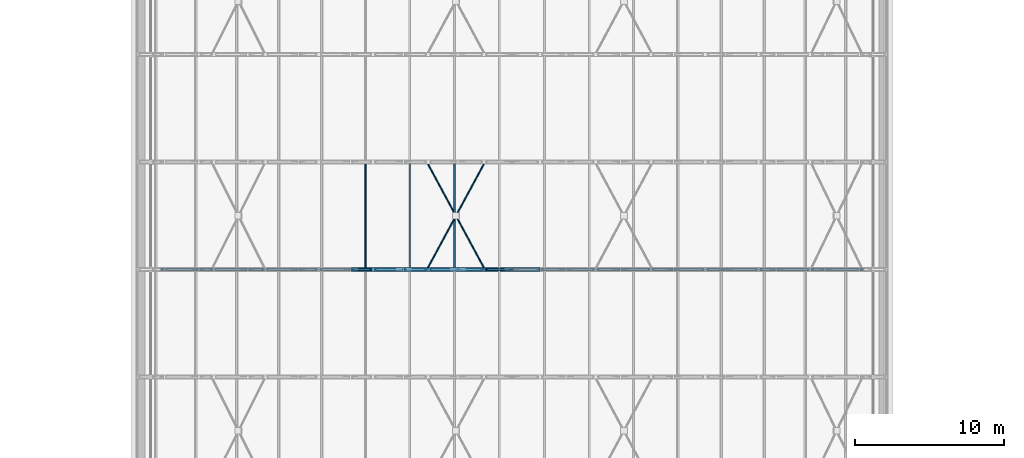
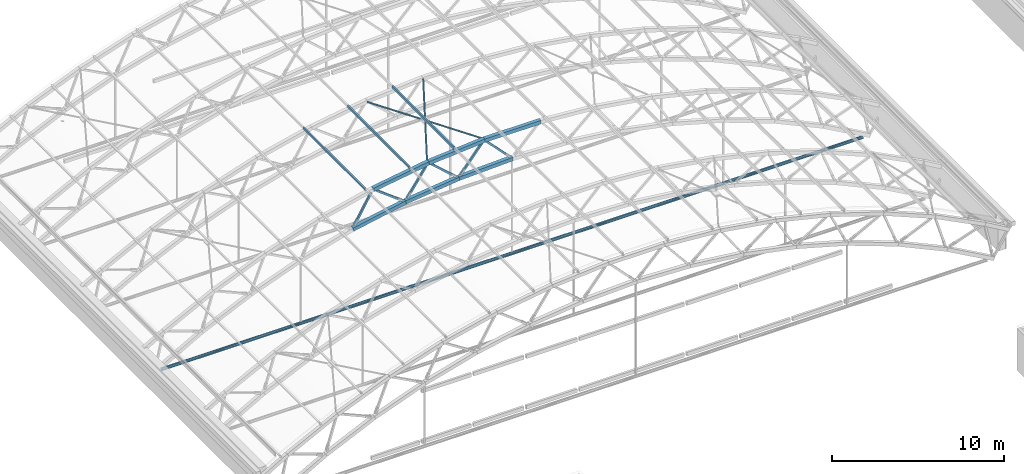
# One storey, part 19 of 127: 19 members.
"""IFC4 building model written with IfcOpenShell, lengths in metres."""

from ifc_helpers import new_model, si_unit, direction, frame, origin, origin_2d, place, context, subcontext, project, spatial, hollow_rectangle, hollow_circle, extrude, material, material_profile, profile_set, type_object, element, save


model = new_model("IFC4")

# Units and contexts
model_context = context("Model", 3, precision=1e-05, world=origin(), true_north=direction((0.0, 1.0)))
body_context = subcontext(model_context, "Body", "Model", "MODEL_VIEW")
ifc_project = project(units=[si_unit("LENGTHUNIT", "METRE"), si_unit("AREAUNIT", "SQUARE_METRE"), si_unit("VOLUMEUNIT", "CUBIC_METRE"), si_unit("PLANEANGLEUNIT", "RADIAN"), si_unit("MASSUNIT", "GRAM", prefix="KILO")], contexts=[model_context])

# Site, building, storey
site_placement = place(None, origin())
site = spatial("IfcSite", under=ifc_project, at=site_placement, CompositionType="ELEMENT")
building_placement = place(site_placement, origin())
building = spatial("IfcBuilding", under=site, at=building_placement, Name="Verrick Yard Athletic Hall", CompositionType="ELEMENT")
storey_placement = place(building_placement, frame((0.0, 0.0, 14.0)))
storey = spatial("IfcBuildingStorey", under=building, at=storey_placement, Name="L03", CompositionType="ELEMENT", Elevation=14.0)

# Members
ifc_material = material(Name="Structural steel HSS Class C 350W (CSA G40.20/G40.21)", Category="steel")
ifc_material_profile_1 = material_profile(ifc_material, hollow_rectangle(XDim=0.25390625, YDim=0.25390625, WallThickness=0.009521484375, at=origin_2d()), Name="HSS254x254x9.5")
ifc_profile_set_1 = profile_set([ifc_material_profile_1], Name="Structural steel HSS Class C 350W (CSA G40.20/G40.21)")
member_type_1 = type_object("IfcMemberType", Name="HB bottom chord HSS254x254x9.5", PredefinedType="CHORD", material=ifc_profile_set_1)
for number, where, z_axis, x_axis, name in (
    (1, (41.283447265625, 86.39990234375, 5.4912109375), (0.980848695375, 0.0, 0.194771242181), (0.0, 1.0, 0.0), "Truss TB3 bottom chord 5"),
    (2, (44.820556640625, 86.39990234375, 6.193359375), (0.993094882284, 0.0, 0.117313915545), (0.0, 1.0, 0.0), "Truss TB3 bottom chord 6"),
    (3, (48.401611328125, 86.39990234375, 6.615966796875), (0.999229864493, 0.0, 0.039238729647), (0.0, 1.0, 0.0), "Truss TB3 bottom chord 7"),
):
    element("IfcMember", number, at=place(storey_placement, frame(where, z_axis=z_axis, x_axis=x_axis)), inside=storey, type_object=member_type_1, Name=name, PredefinedType="CHORD", context=body_context, shape_type="SweptSolid", body=[
        extrude(hollow_rectangle(XDim=0.25390625, YDim=0.25390625, WallThickness=0.009521484375, at=origin_2d()), origin(), (0.0, 0.0, 1.0), 3.59619140625),
    ])
ifc_material_profile_2 = material_profile(ifc_material, hollow_rectangle(XDim=0.1015625, YDim=0.203125, WallThickness=0.009521484375, at=origin_2d()), Name="HSS203x102x9.5")
ifc_profile_set_2 = profile_set([ifc_material_profile_2], Name="Structural steel HSS Class C 350W (CSA G40.20/G40.21)")
member_type_2 = type_object("IfcMemberType", Name="HB purlin HSS203x102x9.5", PredefinedType="PURLIN", material=ifc_profile_set_2)
for number, where, z_axis, x_axis, name in (
    (4, (42.176025390625, 86.39990234375, 7.959228515625), (0.0, 1.0, 0.0), (-0.972458956474, 0.0, -0.23307418985), "HB-PU-B-3-6"),
    (5, (45.150390625, 86.39990234375, 8.464599609375), (0.0, 1.0, 0.0), (-0.987728086354, 0.0, -0.156183313539), "HB-PU-B-3-7"),
    (6, (48.14794921875, 86.39990234375, 8.794677734375), (0.0, 1.0, 0.0), (-0.996927304266, 0.0, -0.078332305011), "HB-PU-B-3-8"),
):
    element("IfcMember", number, at=place(storey_placement, frame(where, z_axis=z_axis, x_axis=x_axis)), inside=storey, type_object=member_type_2, Name=name, PredefinedType="PURLIN", context=body_context, shape_type="SweptSolid", body=[
        extrude(hollow_rectangle(XDim=0.1015625, YDim=0.203125, WallThickness=0.009521484375, at=origin_2d()), origin(), (0.0, 0.0, 1.0), 7.2001953125),
    ])
ifc_material_profile_3 = material_profile(ifc_material, hollow_circle(Radius=0.05712890625, WallThickness=0.00634765625, at=origin_2d()), Name="HSS114x6.4")
ifc_profile_set_3 = profile_set([ifc_material_profile_3], Name="Structural steel HSS Class C 350W (CSA G40.20/G40.21)")
member_type_3 = type_object("IfcMemberType", Name="HB roof brace HSS114x6.4", PredefinedType="BRACE", material=ifc_profile_set_3)
for number, where, z_axis, x_axis, name in (
    (7, (46.3671875, 86.527099609375, 8.425537109375), (0.474902233348, 0.87924865214, 0.037278364666), (-0.879860225212, 0.475232557901, 0.0), "HB-BR-B-3-5b1"),
    (8, (48.29296875, 90.0927734375, 8.576904296875), (0.474902233348, 0.87924865214, 0.037278364666), (-0.879860225212, 0.475232557901, 0.0), "HB-BR-B-3-5b2"),
):
    element("IfcMember", number, at=place(storey_placement, frame(where, z_axis=z_axis, x_axis=x_axis)), inside=storey, type_object=member_type_3, Name=name, PredefinedType="BRACE", context=body_context, shape_type="SweptSolid", body=[
        extrude(hollow_circle(Radius=0.05712890625, WallThickness=0.00634765625, at=origin_2d()), origin(), (0.0, 0.0, 1.0), 3.84423828125),
    ])
member_1_placement = place(storey_placement, frame((50.11865234375, 86.527099609375, 8.72021484375), z_axis=(-0.474890000102, 0.879254230307, -0.037302631142), x_axis=(-0.879866604568, -0.475220746776, 0.0)))
element("IfcMember", 9, at=member_1_placement, inside=storey, type_object=member_type_3, Name="HB-BR-B-3-5a", PredefinedType="BRACE", context=body_context, shape_type="SweptSolid", body=[
    extrude(hollow_circle(Radius=0.05712890625, WallThickness=0.00634765625, at=origin_2d()), origin(), (0.0, 0.0, 1.0), 7.899658203125),
])
ifc_material_profile_4 = material_profile(ifc_material, hollow_circle(Radius=0.109619140625, WallThickness=0.0126953125, at=origin_2d()), Name="HSS219x13")
ifc_profile_set_4 = profile_set([ifc_material_profile_4], Name="Structural steel HSS Class C 350W (CSA G40.20/G40.21)")
member_type_4 = type_object("IfcMemberType", Name="HB tie rod HSS219x13", PredefinedType="MEMBER", material=ifc_profile_set_4)
member_2_placement = place(storey_placement, frame((28.456298828125, 86.39990234375, 0.0), z_axis=(1.0, 0.0, 0.0), x_axis=(0.0, 1.0, 0.0)))
element("IfcMember", 10, at=member_2_placement, inside=storey, type_object=member_type_4, Name="Truss TB3 tie 1", PredefinedType="MEMBER", context=body_context, shape_type="SweptSolid", body=[
    extrude(hollow_circle(Radius=0.109619140625, WallThickness=0.0126953125, at=origin_2d()), origin(), (0.0, 0.0, 1.0), 47.08740234375),
])
ifc_material_profile_5 = material_profile(ifc_material, hollow_rectangle(XDim=0.25390625, YDim=0.25390625, WallThickness=0.009521484375, at=origin_2d()), Name="HSS254x254x9.5")
ifc_profile_set_5 = profile_set([ifc_material_profile_5], Name="Structural steel HSS Class C 350W (CSA G40.20/G40.21)")
member_type_5 = type_object("IfcMemberType", Name="HB top chord HSS254x254x9.5", PredefinedType="CHORD", material=ifc_profile_set_5)
member_3_placement = place(storey_placement, frame((42.655517578125, 86.39990234375, 7.838623046875), z_axis=(0.987726014692, 0.0, 0.156196414495), x_axis=(0.0, 1.0, 0.0)))
element("IfcMember", 11, at=member_3_placement, inside=storey, type_object=member_type_5, Name="Truss TB3 top chord 6", PredefinedType="CHORD", context=body_context, shape_type="SweptSolid", body=[
    extrude(hollow_rectangle(XDim=0.25390625, YDim=0.25390625, WallThickness=0.009521484375, at=origin_2d()), origin(), (0.0, 0.0, 1.0), 3.7529296875),
])
member_4_placement = place(storey_placement, frame((46.372314453125, 86.39990234375, 8.426025390625), z_axis=(0.99692762922, 0.0, 0.07832816925), x_axis=(0.0, 1.0, 0.0)))
element("IfcMember", 12, at=member_4_placement, inside=storey, type_object=member_type_5, Name="Truss TB3 top chord 7", PredefinedType="CHORD", context=body_context, shape_type="SweptSolid", body=[
    extrude(hollow_rectangle(XDim=0.25390625, YDim=0.25390625, WallThickness=0.009521484375, at=origin_2d()), origin(), (0.0, 0.0, 1.0), 3.752685546875),
])
member_5_placement = place(storey_placement, frame((50.12353515625, 86.39990234375, 8.72021484375), z_axis=(1.0, 0.0, 0.0), x_axis=(0.0, 1.0, 0.0)))
element("IfcMember", 13, at=member_5_placement, inside=storey, type_object=member_type_5, Name="Truss TB3 top chord 8", PredefinedType="CHORD", context=body_context, shape_type="SweptSolid", body=[
    extrude(hollow_rectangle(XDim=0.25390625, YDim=0.25390625, WallThickness=0.009521484375, at=origin_2d()), origin(), (0.0, 0.0, 1.0), 3.7529296875),
])
ifc_material_profile_6 = material_profile(ifc_material, hollow_rectangle(XDim=0.126953125, YDim=0.126953125, WallThickness=0.009521484375, at=origin_2d()), Name="HSS127x127x9.5")
ifc_profile_set_6 = profile_set([ifc_material_profile_6], Name="Structural steel HSS Class C 350W (CSA G40.20/G40.21)")
member_type_6 = type_object("IfcMemberType", Name="HB truss web HSS127x127x9.5", PredefinedType="BRACE", material=ifc_profile_set_6)
member_6_placement = place(storey_placement, frame((41.404052734375, 86.39990234375, 5.705078125), z_axis=(0.504625153938, 0.0, 0.863338551214), x_axis=(0.0, 1.0, 0.0)))
element("IfcMember", 14, at=member_6_placement, inside=storey, type_object=member_type_6, Name="Truss TB3 web 9", PredefinedType="BRACE", context=body_context, shape_type="SweptSolid", body=[
    extrude(hollow_rectangle(XDim=0.126953125, YDim=0.126953125, WallThickness=0.009521484375, at=origin_2d()), origin(), (0.0, 0.0, 1.0), 2.233642578125),
])
member_7_placement = place(storey_placement, frame((42.839111328125, 86.39990234375, 7.694580078125), z_axis=(0.796206425538, 0.0, -0.605025063887), x_axis=(0.0, 1.0, 0.0)))
element("IfcMember", 15, at=member_7_placement, inside=storey, type_object=member_type_6, Name="Truss TB3 web 10", PredefinedType="BRACE", context=body_context, shape_type="SweptSolid", body=[
    extrude(hollow_rectangle(XDim=0.126953125, YDim=0.126953125, WallThickness=0.009521484375, at=origin_2d()), origin(), (0.0, 0.0, 1.0), 2.2333984375),
])
for number, where, z_axis, x_axis, name in (
    (16, (44.95751953125, 86.39990234375, 6.39697265625), (0.570664111571, 0.0, 0.821183579819), (0.0, 1.0, 0.0), "Truss TB3 web 11"),
    (17, (46.5439453125, 86.39990234375, 8.26806640625), (0.746389338881, 0.0, -0.66550954524), (0.0, 1.0, 0.0), "Truss TB3 web 12"),
    (18, (48.55419921875, 86.39990234375, 6.808349609375), (0.633267548908, 0.0, 0.773932950262), (0.0, 1.0, 0.0), "Truss TB3 web 13"),
):
    element("IfcMember", number, at=place(storey_placement, frame(where, z_axis=z_axis, x_axis=x_axis)), inside=storey, type_object=member_type_6, Name=name, PredefinedType="BRACE", context=body_context, shape_type="SweptSolid", body=[
        extrude(hollow_rectangle(XDim=0.126953125, YDim=0.126953125, WallThickness=0.009521484375, at=origin_2d()), origin(), (0.0, 0.0, 1.0), 2.233642578125),
    ])
member_8_placement = place(storey_placement, frame((50.282470703125, 86.39990234375, 8.54931640625), z_axis=(0.691917233653, 0.0, -0.721976829112), x_axis=(0.0, 1.0, 0.0)))
element("IfcMember", 19, at=member_8_placement, inside=storey, type_object=member_type_6, Name="Truss TB3 web 14", PredefinedType="BRACE", context=body_context, shape_type="SweptSolid", body=[
    extrude(hollow_rectangle(XDim=0.126953125, YDim=0.126953125, WallThickness=0.009521484375, at=origin_2d()), origin(), (0.0, 0.0, 1.0), 2.2333984375),
])

save(model, "model.ifc")
